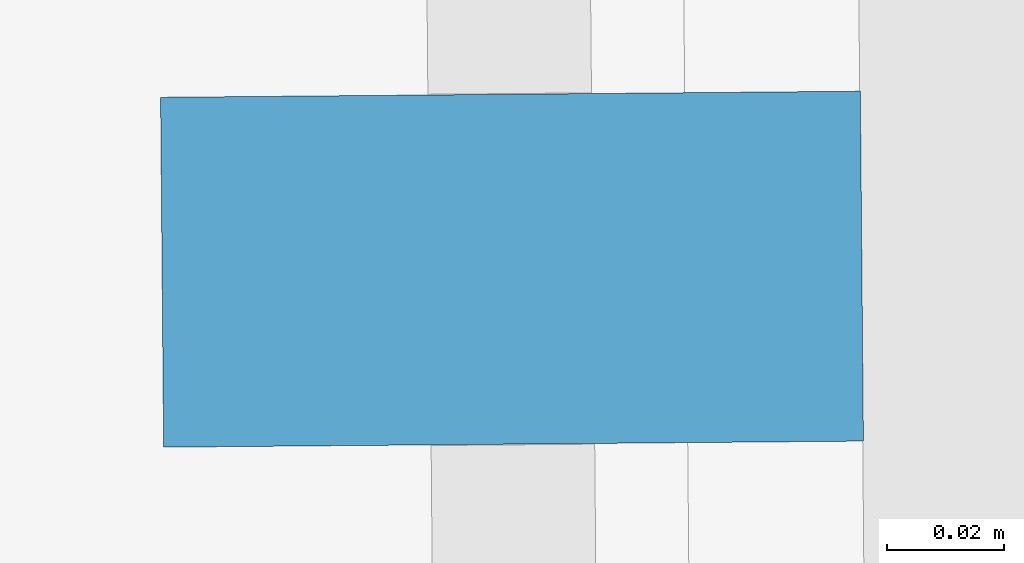
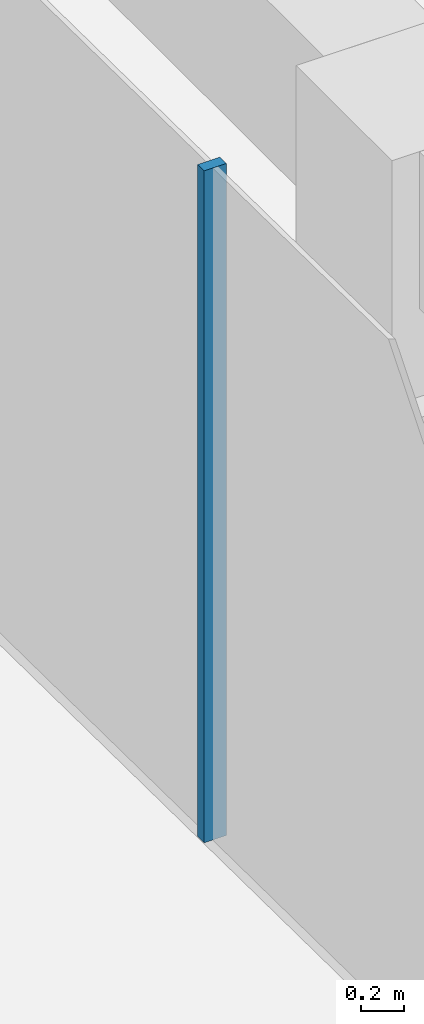
# One storey, part 10 of 21: 1 member, 1 element without a shape of its own.
"""IFC4 building model written with IfcOpenShell, lengths in metres."""

from ifc_helpers import new_model, si_unit, direction, frame, origin, origin_2d, place, context, subcontext, project, spatial, rectangle, extrude, material, layer, layer_set, material_profile, profile_set, type_object, element, aggregate, save


model = new_model("IFC4")

# Units and contexts
model_context = context("Model", 3, precision=1e-05, world=origin(), true_north=direction((0.0, 1.0)))
body_context = subcontext(model_context, "Body", "Model", "MODEL_VIEW")
ifc_project = project(units=[si_unit("LENGTHUNIT", "METRE"), si_unit("AREAUNIT", "SQUARE_METRE"), si_unit("VOLUMEUNIT", "CUBIC_METRE"), si_unit("PLANEANGLEUNIT", "RADIAN"), si_unit("MASSUNIT", "GRAM", prefix="KILO")], contexts=[model_context])

# Site, building, storey
site_placement = place(None, origin())
site = spatial("IfcSite", under=ifc_project, at=site_placement, CompositionType="ELEMENT")
building_placement = place(site_placement, origin())
building = spatial("IfcBuilding", under=site, at=building_placement, Name="Welwitschia Terrace Campus", CompositionType="ELEMENT")
storey_placement = place(building_placement, frame((0.0, 0.0, 108.800048828125)))
storey = spatial("IfcBuildingStorey", under=building, at=storey_placement, Name="L24", CompositionType="ELEMENT", Elevation=108.800048828125)

# Curtain wall, member
ifc_material_1 = material(Name="Bronze anodised aluminium", Category="aluminium")
ifc_layer = layer(ifc_material_1, 0.1201171875)
ifc_layer_set = layer_set([ifc_layer], Name="Bronze anodised aluminium")
curtain_wall_type = type_object("IfcCurtainWallType", Name="Curtain wall CW2 tower 6000", PredefinedType="NOTDEFINED", material=ifc_layer_set)
curtain_wall_placement = place(storey_placement, origin())
curtain_wall = element("IfcCurtainWall", 1, at=curtain_wall_placement, inside=storey, type_object=curtain_wall_type, Name="CW L24.0.0", PredefinedType="NOTDEFINED")
ifc_material_2 = material(Name="Bronze anodised aluminium", Category="aluminium")
ifc_material_profile = material_profile(ifc_material_2, rectangle(XDim=0.1201171875, YDim=0.06005859375, at=origin_2d()))
ifc_profile_set = profile_set([ifc_material_profile], Name="Bronze anodised aluminium")
member_type = type_object("IfcMemberType", Name="Mullion 60x120", PredefinedType="MULLION", material=ifc_profile_set)
member_placement = place(storey_placement, frame((-1.194580078125, 51.94921875, 0.0), z_axis=(0.0, 0.0, 1.0), x_axis=(0.999961923064, 0.008726535498, 0.0)))
member = element("IfcMember", 2, at=member_placement, type_object=member_type, Name="Mullion L24.0.0.3", PredefinedType="MULLION", context=body_context, shape_type="SweptSolid", body=[
    extrude(rectangle(XDim=0.1201171875, YDim=0.06005859375, at=origin_2d()), origin(), (0.0, 0.0, 1.0), 3.849853515625),
])
aggregate(curtain_wall, [member])

save(model, "model.ifc")
